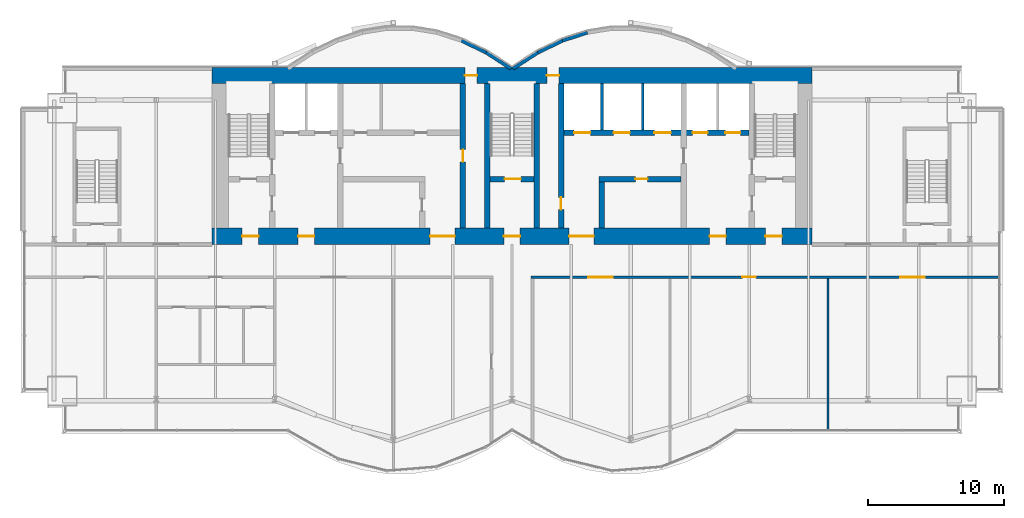
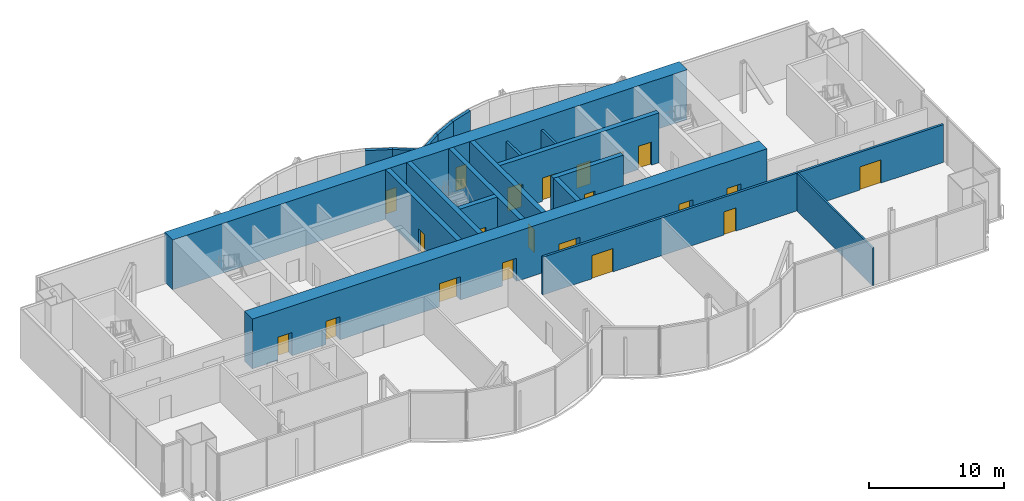
# One storey, part 13 of 18: 21 doors, 19 walls, 21 openings.
"""IFC4 building model written with IfcOpenShell, lengths in metres."""

from ifc_helpers import new_model, si_unit, direction, frame, frame_2d, origin, place, context, subcontext, project, spatial, rectangle, extrude, material, layer, layer_set, layer_usage, type_object, element, fill, save


model = new_model("IFC4")

# Units and contexts
model_context = context("Model", 3, precision=1e-05, world=origin(), true_north=direction((0.0, 1.0)))
body_context = subcontext(model_context, "Body", "Model", "MODEL_VIEW")
ifc_project = project(units=[si_unit("LENGTHUNIT", "METRE"), si_unit("AREAUNIT", "SQUARE_METRE"), si_unit("VOLUMEUNIT", "CUBIC_METRE"), si_unit("PLANEANGLEUNIT", "RADIAN"), si_unit("MASSUNIT", "GRAM", prefix="KILO")], contexts=[model_context])

# Site, building, storey
site_placement = place(None, origin())
site = spatial("IfcSite", under=ifc_project, at=site_placement, CompositionType="ELEMENT")
building_placement = place(site_placement, origin())
building = spatial("IfcBuilding", under=site, at=building_placement, Name="Bicima Exchange Tower", CompositionType="ELEMENT")
storey_placement = place(building_placement, frame((0.0, 0.0, 302.0)))
storey = spatial("IfcBuildingStorey", under=building, at=storey_placement, Name="L68", CompositionType="ELEMENT", Elevation=302.0)

# Walls
ifc_material_1 = material(Name="Gypsum board partition")
ifc_layer_1 = layer(ifc_material_1, 0.199951171875)
ifc_layer_set_1 = layer_set([ifc_layer_1], Name="Gypsum board partition")
wall_type_1 = type_object("IfcWallType", Name="Fire-rated gypsum partition 200 EI120", PredefinedType="PARTITIONING", material=ifc_layer_set_1)
for number, where, z_axis, x_axis, name in (
    (1, (6.60009765625, -4.60009765625, 0.0), (0.0, 0.0, 1.0), (0.0, 1.0, 0.0), "partition wall 18"),
    (2, (9.60009765625, -4.60009765625, 0.0), (0.0, 0.0, 1.0), (0.0, 1.0, 0.0), "partition wall 19"),
):
    element("IfcWall", number, at=place(storey_placement, frame(where, z_axis=z_axis, x_axis=x_axis)), inside=storey, type_object=wall_type_1, Name=name, PredefinedType="PARTITIONING", context=body_context, shape_type="SweptSolid", body=[
        extrude(rectangle(XDim=3.400146484375, YDim=0.199951171875, at=frame_2d((1.7001953125, 0.0))), origin(), (0.0, 0.0, 1.0), 3.418212890625),
    ])

# Wall, openings, doors
ifc_layer_2 = layer(ifc_material_1, 0.199951171875)
ifc_layer_set_2 = layer_set([ifc_layer_2], Name="Gypsum board partition")
wall_type_2 = type_object("IfcWallType", Name="Fire-rated gypsum partition 200 EI60", PredefinedType="PARTITIONING", material=ifc_layer_set_2)
wall_1_placement = place(storey_placement, frame((1.39990234375, -15.39990234375, 0.0), z_axis=(0.0, 0.0, 1.0), x_axis=(1.0, 0.0, 0.0)))
wall_1 = element("IfcWall", 3, at=wall_1_placement, inside=storey, type_object=wall_type_2, Name="partition wall 4", PredefinedType="PARTITIONING", context=body_context, shape_type="SweptSolid", body=[
    extrude(rectangle(XDim=34.280029296875, YDim=0.199951171875, at=frame_2d((17.14013671875, 0.0))), origin(), (0.0, 0.0, 1.0), 3.418212890625),
])
opening_1_placement = place(wall_1_placement, frame((4.199951171875, 0.0, 0.0)))
opening_1 = element("IfcOpeningElement", 4, at=opening_1_placement, cuts=wall_1, Name="Opening L68-014", PredefinedType="OPENING", context=body_context, shape_type="SweptSolid", body=[
    extrude(rectangle(XDim=1.800048828125, YDim=2.10009765625, at=frame_2d((0.89990234375, 1.050048828125))), frame((0.0, 0.11181640625, 0.0), z_axis=(0.0, -1.0, 0.0), x_axis=(1.0, 0.0, 0.0)), (0.0, 0.0, 1.0), 0.223876953125),
])
opening_2_placement = place(wall_1_placement, frame((15.5, 0.0, 0.0)))
opening_2 = element("IfcOpeningElement", 5, at=opening_2_placement, cuts=wall_1, Name="Opening L68-015", PredefinedType="OPENING", context=body_context, shape_type="SweptSolid", body=[
    extrude(rectangle(XDim=1.0, YDim=2.10009765625, at=frame_2d((0.5, 1.050048828125))), frame((0.0, 0.11181640625, 0.0), z_axis=(0.0, -1.0, 0.0), x_axis=(1.0, 0.0, 0.0)), (0.0, 0.0, 1.0), 0.223876953125),
])
opening_3_placement = place(wall_1_placement, frame((27.10009765625, 0.0, 0.0)))
opening_3 = element("IfcOpeningElement", 6, at=opening_3_placement, cuts=wall_1, Name="Opening L68-016", PredefinedType="OPENING", context=body_context, shape_type="SweptSolid", body=[
    extrude(rectangle(XDim=1.800048828125, YDim=2.10009765625, at=frame_2d((0.89990234375, 1.050048828125))), frame((0.0, 0.11181640625, 0.0), z_axis=(0.0, -1.0, 0.0), x_axis=(1.0, 0.0, 0.0)), (0.0, 0.0, 1.0), 0.223876953125),
])
ifc_material_2 = material(Name="Steel fire door leaf", Category="steel")
door_type_1 = type_object("IfcDoorType", Name="Door 1000 swing FD30S", OperationType="SINGLE_SWING_LEFT", PredefinedType="DOOR", material=ifc_material_2)
door_1_placement = place(opening_2_placement, frame((1.0, 0.0, 0.0), z_axis=(0.0, 0.0, 1.0), x_axis=(-1.0, 0.0, 0.0)))
door_1 = element("IfcDoor", 7, at=door_1_placement, inside=storey, type_object=door_type_1, Name="Door", OperationType="SINGLE_SWING_RIGHT", OverallHeight=2.10009765625, OverallWidth=1.0, PredefinedType="DOOR", context=body_context, shape_type="SweptSolid", body=[
    extrude(rectangle(XDim=1.0, YDim=2.10009765625, at=frame_2d((0.5, 1.050048828125))), frame((0.0, 0.02490234375, 0.0), z_axis=(0.0, -1.0, 0.0), x_axis=(1.0, 0.0, 0.0)), (0.0, 0.0, 1.0), 0.050048828125),
])
fill(opening_2, door_1)
door_type_2 = type_object("IfcDoorType", Name="Door 1800 double swing FD30S", OperationType="DOUBLE_DOOR_SINGLE_SWING", PredefinedType="DOOR", material=ifc_material_2)
door_2_placement = place(opening_1_placement, origin())
door_2 = element("IfcDoor", 8, at=door_2_placement, inside=storey, type_object=door_type_2, Name="Door", OperationType="SINGLE_SWING_LEFT", OverallHeight=2.10009765625, OverallWidth=1.800048828125, PredefinedType="DOOR", context=body_context, shape_type="SweptSolid", body=[
    extrude(rectangle(XDim=1.800048828125, YDim=2.10009765625, at=frame_2d((0.89990234375, 1.050048828125))), frame((0.0, 0.02490234375, 0.0), z_axis=(0.0, -1.0, 0.0), x_axis=(1.0, 0.0, 0.0)), (0.0, 0.0, 1.0), 0.050048828125),
])
fill(opening_1, door_2)
door_3_placement = place(opening_3_placement, origin())
door_3 = element("IfcDoor", 9, at=door_3_placement, inside=storey, type_object=door_type_2, Name="Door", OperationType="SINGLE_SWING_LEFT", OverallHeight=2.10009765625, OverallWidth=1.800048828125, PredefinedType="DOOR", context=body_context, shape_type="SweptSolid", body=[
    extrude(rectangle(XDim=1.800048828125, YDim=2.10009765625, at=frame_2d((0.89990234375, 1.050048828125))), frame((0.0, 0.02490234375, 0.0), z_axis=(0.0, -1.0, 0.0), x_axis=(1.0, 0.0, 0.0)), (0.0, 0.0, 1.0), 0.050048828125),
])
fill(opening_3, door_3)

# Wall
ifc_layer_3 = layer(ifc_material_1, 0.14990234375)
ifc_layer_set_3 = layer_set([ifc_layer_3], Name="Gypsum board partition")
wall_type_3 = type_object("IfcWallType", Name="Gypsum partition 150", PredefinedType="PARTITIONING", material=ifc_layer_set_3)
wall_2_placement = place(storey_placement, frame((23.199951171875, -26.659912109375, 0.0), z_axis=(0.0, 0.0, 1.0), x_axis=(0.0, 1.0, 0.0)))
element("IfcWall", 10, at=wall_2_placement, inside=storey, type_object=wall_type_3, Name="partition wall 23", PredefinedType="PARTITIONING", context=body_context, shape_type="SweptSolid", body=[
    extrude(rectangle(XDim=11.159912109375, YDim=0.14990234375, at=frame_2d((5.580078125, 0.0))), origin(), (0.0, 0.0, 1.0), 3.418212890625),
])

# Wall, openings, doors
ifc_material_3 = material(Name="Concrete C40/50", Category="concrete")
ifc_layer_4 = layer(ifc_material_3, 1.199951171875)
ifc_layer_set_4 = layer_set([ifc_layer_4], Name="Concrete C40/50")
wall_type_4 = type_object("IfcWallType", Name="RC core wall 1200 C40/50", PredefinedType="SHEAR", material=ifc_layer_set_4)
wall_3_placement = place(storey_placement, frame((-22.0, -0.60009765625, 0.0), z_axis=(0.0, 0.0, 1.0), x_axis=(1.0, 0.0, 0.0)))
wall_3 = element("IfcWall", 11, at=wall_3_placement, inside=storey, type_object=wall_type_4, Name="Core wall north", PredefinedType="SHEAR", context=body_context, shape_type="SweptSolid", body=[
    extrude(rectangle(XDim=44.0, YDim=1.199951171875, at=frame_2d((22.0, 0.0))), origin(), (0.0, 0.0, 1.0), 4.5),
])
opening_4_placement = place(wall_3_placement, frame((18.550048828125, 0.0, 0.0)))
opening_4 = element("IfcOpeningElement", 12, at=opening_4_placement, cuts=wall_3, Name="Opening L68-C16", PredefinedType="OPENING", context=body_context, shape_type="SweptSolid", body=[
    extrude(rectangle(XDim=0.89990234375, YDim=2.10009765625, at=frame_2d((0.449951171875, 1.050048828125))), frame((0.0, 0.61181640625, 0.0), z_axis=(0.0, -1.0, 0.0), x_axis=(1.0, 0.0, 0.0)), (0.0, 0.0, 1.0), 1.223876953125),
])
opening_5_placement = place(wall_3_placement, frame((24.550048828125, 0.0, 0.0)))
opening_5 = element("IfcOpeningElement", 13, at=opening_5_placement, cuts=wall_3, Name="Opening L68-C17", PredefinedType="OPENING", context=body_context, shape_type="SweptSolid", body=[
    extrude(rectangle(XDim=0.89990234375, YDim=2.10009765625, at=frame_2d((0.449951171875, 1.050048828125))), frame((0.0, 0.61181640625, 0.0), z_axis=(0.0, -1.0, 0.0), x_axis=(1.0, 0.0, 0.0)), (0.0, 0.0, 1.0), 1.223876953125),
])
door_type_3 = type_object("IfcDoorType", Name="Door 900 swing FD30S", OperationType="SINGLE_SWING_LEFT", PredefinedType="DOOR", material=ifc_material_2)
door_4_placement = place(opening_4_placement, origin())
door_4 = element("IfcDoor", 14, at=door_4_placement, inside=storey, type_object=door_type_3, Name="Core door", OperationType="SINGLE_SWING_LEFT", OverallHeight=2.10009765625, OverallWidth=0.89990234375, PredefinedType="DOOR", context=body_context, shape_type="SweptSolid", body=[
    extrude(rectangle(XDim=0.89990234375, YDim=2.10009765625, at=frame_2d((0.449951171875, 1.050048828125))), frame((0.0, 0.02490234375, 0.0), z_axis=(0.0, -1.0, 0.0), x_axis=(1.0, 0.0, 0.0)), (0.0, 0.0, 1.0), 0.050048828125),
])
fill(opening_4, door_4)
door_5_placement = place(opening_5_placement, origin())
door_5 = element("IfcDoor", 15, at=door_5_placement, inside=storey, type_object=door_type_3, Name="Core door", OperationType="SINGLE_SWING_LEFT", OverallHeight=2.10009765625, OverallWidth=0.89990234375, PredefinedType="DOOR", context=body_context, shape_type="SweptSolid", body=[
    extrude(rectangle(XDim=0.89990234375, YDim=2.10009765625, at=frame_2d((0.449951171875, 1.050048828125))), frame((0.0, 0.02490234375, 0.0), z_axis=(0.0, -1.0, 0.0), x_axis=(1.0, 0.0, 0.0)), (0.0, 0.0, 1.0), 0.050048828125),
])
fill(opening_5, door_5)

wall_4_placement = place(storey_placement, frame((-22.0, -12.39990234375, 0.0), z_axis=(0.0, 0.0, 1.0), x_axis=(1.0, 0.0, 0.0)))
wall_4 = element("IfcWall", 16, at=wall_4_placement, inside=storey, type_object=wall_type_4, Name="Core wall south", PredefinedType="SHEAR", context=body_context, shape_type="SweptSolid", body=[
    extrude(rectangle(XDim=44.0, YDim=1.199951171875, at=frame_2d((22.0, 0.0))), origin(), (0.0, 0.0, 1.0), 4.5),
])
opening_6_placement = place(wall_4_placement, frame((2.199951171875, 0.0, 0.0)))
opening_6 = element("IfcOpeningElement", 17, at=opening_6_placement, cuts=wall_4, Name="Opening L68-C18", PredefinedType="OPENING", context=body_context, shape_type="SweptSolid", body=[
    extrude(rectangle(XDim=1.199951171875, YDim=2.10009765625, at=frame_2d((0.60009765625, 1.050048828125))), frame((0.0, 0.61181640625, 0.0), z_axis=(0.0, -1.0, 0.0), x_axis=(1.0, 0.0, 0.0)), (0.0, 0.0, 1.0), 1.223876953125),
])
opening_7_placement = place(wall_4_placement, frame((21.39990234375, 0.0, 0.0)))
opening_7 = element("IfcOpeningElement", 18, at=opening_7_placement, cuts=wall_4, Name="Opening L68-C19", PredefinedType="OPENING", context=body_context, shape_type="SweptSolid", body=[
    extrude(rectangle(XDim=1.199951171875, YDim=2.10009765625, at=frame_2d((0.60009765625, 1.050048828125))), frame((0.0, 0.61181640625, 0.0), z_axis=(0.0, -1.0, 0.0), x_axis=(1.0, 0.0, 0.0)), (0.0, 0.0, 1.0), 1.223876953125),
])
opening_8_placement = place(wall_4_placement, frame((40.60009765625, 0.0, 0.0)))
opening_8 = element("IfcOpeningElement", 19, at=opening_8_placement, cuts=wall_4, Name="Opening L68-C20", PredefinedType="OPENING", context=body_context, shape_type="SweptSolid", body=[
    extrude(rectangle(XDim=1.199951171875, YDim=2.10009765625, at=frame_2d((0.60009765625, 1.050048828125))), frame((0.0, 0.61181640625, 0.0), z_axis=(0.0, -1.0, 0.0), x_axis=(1.0, 0.0, 0.0)), (0.0, 0.0, 1.0), 1.223876953125),
])
opening_9_placement = place(wall_4_placement, frame((16.0, 0.0, 0.0)))
opening_9 = element("IfcOpeningElement", 20, at=opening_9_placement, cuts=wall_4, Name="Opening L68-C21", PredefinedType="OPENING", context=body_context, shape_type="SweptSolid", body=[
    extrude(rectangle(XDim=1.800048828125, YDim=2.10009765625, at=frame_2d((0.89990234375, 1.050048828125))), frame((0.0, 0.61181640625, 0.0), z_axis=(0.0, -1.0, 0.0), x_axis=(1.0, 0.0, 0.0)), (0.0, 0.0, 1.0), 1.223876953125),
])
opening_10_placement = place(wall_4_placement, frame((6.300048828125, 0.0, 0.0)))
opening_10 = element("IfcOpeningElement", 21, at=opening_10_placement, cuts=wall_4, Name="Opening L68-C22", PredefinedType="OPENING", context=body_context, shape_type="SweptSolid", body=[
    extrude(rectangle(XDim=1.199951171875, YDim=2.10009765625, at=frame_2d((0.60009765625, 1.050048828125))), frame((0.0, 0.61181640625, 0.0), z_axis=(0.0, -1.0, 0.0), x_axis=(1.0, 0.0, 0.0)), (0.0, 0.0, 1.0), 1.223876953125),
])
opening_11_placement = place(wall_4_placement, frame((26.199951171875, 0.0, 0.0)))
opening_11 = element("IfcOpeningElement", 22, at=opening_11_placement, cuts=wall_4, Name="Opening L68-C23", PredefinedType="OPENING", context=body_context, shape_type="SweptSolid", body=[
    extrude(rectangle(XDim=1.800048828125, YDim=2.10009765625, at=frame_2d((0.89990234375, 1.050048828125))), frame((0.0, 0.61181640625, 0.0), z_axis=(0.0, -1.0, 0.0), x_axis=(1.0, 0.0, 0.0)), (0.0, 0.0, 1.0), 1.223876953125),
])
opening_12_placement = place(wall_4_placement, frame((36.5, 0.0, 0.0)))
opening_12 = element("IfcOpeningElement", 23, at=opening_12_placement, cuts=wall_4, Name="Opening L68-C24", PredefinedType="OPENING", context=body_context, shape_type="SweptSolid", body=[
    extrude(rectangle(XDim=1.199951171875, YDim=2.10009765625, at=frame_2d((0.60009765625, 1.050048828125))), frame((0.0, 0.61181640625, 0.0), z_axis=(0.0, -1.0, 0.0), x_axis=(1.0, 0.0, 0.0)), (0.0, 0.0, 1.0), 1.223876953125),
])
door_type_4 = type_object("IfcDoorType", Name="Door 1200 swing FD60S", OperationType="SINGLE_SWING_LEFT", PredefinedType="DOOR", material=ifc_material_2)
door_6_placement = place(opening_6_placement, frame((1.199951171875, 0.0, 0.0), z_axis=(0.0, 0.0, 1.0), x_axis=(-1.0, 0.0, 0.0)))
door_6 = element("IfcDoor", 24, at=door_6_placement, inside=storey, type_object=door_type_4, Name="Core door", OperationType="SINGLE_SWING_RIGHT", OverallHeight=2.10009765625, OverallWidth=1.199951171875, PredefinedType="DOOR", context=body_context, shape_type="SweptSolid", body=[
    extrude(rectangle(XDim=1.199951171875, YDim=2.10009765625, at=frame_2d((0.60009765625, 1.050048828125))), frame((0.0, 0.02490234375, 0.0), z_axis=(0.0, -1.0, 0.0), x_axis=(1.0, 0.0, 0.0)), (0.0, 0.0, 1.0), 0.050048828125),
])
fill(opening_6, door_6)
door_7_placement = place(opening_7_placement, frame((1.199951171875, 0.0, 0.0), z_axis=(0.0, 0.0, 1.0), x_axis=(-1.0, 0.0, 0.0)))
door_7 = element("IfcDoor", 25, at=door_7_placement, inside=storey, type_object=door_type_4, Name="Core door", OperationType="SINGLE_SWING_RIGHT", OverallHeight=2.10009765625, OverallWidth=1.199951171875, PredefinedType="DOOR", context=body_context, shape_type="SweptSolid", body=[
    extrude(rectangle(XDim=1.199951171875, YDim=2.10009765625, at=frame_2d((0.60009765625, 1.050048828125))), frame((0.0, 0.02490234375, 0.0), z_axis=(0.0, -1.0, 0.0), x_axis=(1.0, 0.0, 0.0)), (0.0, 0.0, 1.0), 0.050048828125),
])
fill(opening_7, door_7)
door_8_placement = place(opening_8_placement, frame((1.199951171875, 0.0, 0.0), z_axis=(0.0, 0.0, 1.0), x_axis=(-1.0, 0.0, 0.0)))
door_8 = element("IfcDoor", 26, at=door_8_placement, inside=storey, type_object=door_type_4, Name="Core door", OperationType="SINGLE_SWING_RIGHT", OverallHeight=2.10009765625, OverallWidth=1.199951171875, PredefinedType="DOOR", context=body_context, shape_type="SweptSolid", body=[
    extrude(rectangle(XDim=1.199951171875, YDim=2.10009765625, at=frame_2d((0.60009765625, 1.050048828125))), frame((0.0, 0.02490234375, 0.0), z_axis=(0.0, -1.0, 0.0), x_axis=(1.0, 0.0, 0.0)), (0.0, 0.0, 1.0), 0.050048828125),
])
fill(opening_8, door_8)
door_9_placement = place(opening_10_placement, frame((1.199951171875, 0.0, 0.0), z_axis=(0.0, 0.0, 1.0), x_axis=(-1.0, 0.0, 0.0)))
door_9 = element("IfcDoor", 27, at=door_9_placement, inside=storey, type_object=door_type_4, Name="Core door", OperationType="SINGLE_SWING_RIGHT", OverallHeight=2.10009765625, OverallWidth=1.199951171875, PredefinedType="DOOR", context=body_context, shape_type="SweptSolid", body=[
    extrude(rectangle(XDim=1.199951171875, YDim=2.10009765625, at=frame_2d((0.60009765625, 1.050048828125))), frame((0.0, 0.02490234375, 0.0), z_axis=(0.0, -1.0, 0.0), x_axis=(1.0, 0.0, 0.0)), (0.0, 0.0, 1.0), 0.050048828125),
])
fill(opening_10, door_9)
door_10_placement = place(opening_12_placement, frame((1.199951171875, 0.0, 0.0), z_axis=(0.0, 0.0, 1.0), x_axis=(-1.0, 0.0, 0.0)))
door_10 = element("IfcDoor", 28, at=door_10_placement, inside=storey, type_object=door_type_4, Name="Core door", OperationType="SINGLE_SWING_RIGHT", OverallHeight=2.10009765625, OverallWidth=1.199951171875, PredefinedType="DOOR", context=body_context, shape_type="SweptSolid", body=[
    extrude(rectangle(XDim=1.199951171875, YDim=2.10009765625, at=frame_2d((0.60009765625, 1.050048828125))), frame((0.0, 0.02490234375, 0.0), z_axis=(0.0, -1.0, 0.0), x_axis=(1.0, 0.0, 0.0)), (0.0, 0.0, 1.0), 0.050048828125),
])
fill(opening_12, door_10)
door_11_placement = place(opening_9_placement, origin())
door_11 = element("IfcDoor", 29, at=door_11_placement, inside=storey, type_object=door_type_2, Name="Core door", OperationType="SINGLE_SWING_LEFT", OverallHeight=2.10009765625, OverallWidth=1.800048828125, PredefinedType="DOOR", context=body_context, shape_type="SweptSolid", body=[
    extrude(rectangle(XDim=1.800048828125, YDim=2.10009765625, at=frame_2d((0.89990234375, 1.050048828125))), frame((0.0, 0.02490234375, 0.0), z_axis=(0.0, -1.0, 0.0), x_axis=(1.0, 0.0, 0.0)), (0.0, 0.0, 1.0), 0.050048828125),
])
fill(opening_9, door_11)
door_12_placement = place(opening_11_placement, origin())
door_12 = element("IfcDoor", 30, at=door_12_placement, inside=storey, type_object=door_type_2, Name="Core door", OperationType="SINGLE_SWING_LEFT", OverallHeight=2.10009765625, OverallWidth=1.800048828125, PredefinedType="DOOR", context=body_context, shape_type="SweptSolid", body=[
    extrude(rectangle(XDim=1.800048828125, YDim=2.10009765625, at=frame_2d((0.89990234375, 1.050048828125))), frame((0.0, 0.02490234375, 0.0), z_axis=(0.0, -1.0, 0.0), x_axis=(1.0, 0.0, 0.0)), (0.0, 0.0, 1.0), 0.050048828125),
])
fill(opening_11, door_12)

# Wall, opening, door
ifc_layer_5 = layer(ifc_material_3, 0.39990234375)
ifc_layer_set_5 = layer_set([ifc_layer_5], Name="Concrete C40/50")
wall_type_5 = type_object("IfcWallType", Name="RC core wall 400 C40/50", PredefinedType="SHEAR", material=ifc_layer_set_5)
wall_5_placement = place(storey_placement, frame((6.39990234375, -8.199951171875, 0.0), z_axis=(0.0, 0.0, 1.0), x_axis=(1.0, 0.0, 0.0)))
wall_5 = element("IfcWall", 31, at=wall_5_placement, inside=storey, type_object=wall_type_5, Name="shear wall 4", PredefinedType="SHEAR", context=body_context, shape_type="SweptSolid", body=[
    extrude(rectangle(XDim=6.0, YDim=0.39990234375, at=frame_2d((3.0, 0.0))), origin(), (0.0, 0.0, 1.0), 4.5),
])
opening_13_placement = place(wall_5_placement, frame((2.64990234375, 0.0, 0.0)))
opening_13 = element("IfcOpeningElement", 32, at=opening_13_placement, cuts=wall_5, Name="Opening L68-C15", PredefinedType="OPENING", context=body_context, shape_type="SweptSolid", body=[
    extrude(rectangle(XDim=0.89990234375, YDim=2.10009765625, at=frame_2d((0.449951171875, 1.050048828125))), frame((0.0, 0.2119140625, 0.0), z_axis=(0.0, -1.0, 0.0), x_axis=(1.0, 0.0, 0.0)), (0.0, 0.0, 1.0), 0.423828125),
])
door_13_placement = place(opening_13_placement, frame((0.89990234375, 0.0, 0.0), z_axis=(0.0, 0.0, 1.0), x_axis=(-1.0, 0.0, 0.0)))
door_13 = element("IfcDoor", 33, at=door_13_placement, inside=storey, type_object=door_type_3, Name="Core door", OperationType="SINGLE_SWING_RIGHT", OverallHeight=2.10009765625, OverallWidth=0.89990234375, PredefinedType="DOOR", context=body_context, shape_type="SweptSolid", body=[
    extrude(rectangle(XDim=0.89990234375, YDim=2.10009765625, at=frame_2d((0.449951171875, 1.050048828125))), frame((0.0, 0.02490234375, 0.0), z_axis=(0.0, -1.0, 0.0), x_axis=(1.0, 0.0, 0.0)), (0.0, 0.0, 1.0), 0.050048828125),
])
fill(opening_13, door_13)

# Wall, openings, doors
wall_6_placement = place(storey_placement, frame((3.800048828125, -4.800048828125, 0.0), z_axis=(0.0, 0.0, 1.0), x_axis=(1.0, 0.0, 0.0)))
wall_6 = element("IfcWall", 34, at=wall_6_placement, inside=storey, type_object=wall_type_5, Name="shear wall 7", PredefinedType="SHEAR", context=body_context, shape_type="SweptSolid", body=[
    extrude(rectangle(XDim=13.599853515625, YDim=0.39990234375, at=frame_2d((6.7998046875, 0.0))), origin(), (0.0, 0.0, 1.0), 4.5),
])
opening_14_placement = place(wall_6_placement, frame((0.75, 0.0, 0.0)))
opening_14 = element("IfcOpeningElement", 35, at=opening_14_placement, cuts=wall_6, Name="Opening LD-HB1-L68", PredefinedType="OPENING", context=body_context, shape_type="SweptSolid", body=[
    extrude(rectangle(XDim=1.199951171875, YDim=2.10009765625, at=frame_2d((0.60009765625, 1.050048828125))), frame((0.0, 0.2119140625, 0.0), z_axis=(0.0, -1.0, 0.0), x_axis=(1.0, 0.0, 0.0)), (0.0, 0.0, 1.0), 0.423828125),
])
opening_15_placement = place(wall_6_placement, frame((3.64990234375, 0.0, 0.0)))
opening_15 = element("IfcOpeningElement", 36, at=opening_15_placement, cuts=wall_6, Name="Opening LD-HB2-L68", PredefinedType="OPENING", context=body_context, shape_type="SweptSolid", body=[
    extrude(rectangle(XDim=1.199951171875, YDim=2.10009765625, at=frame_2d((0.60009765625, 1.050048828125))), frame((0.0, 0.2119140625, 0.0), z_axis=(0.0, -1.0, 0.0), x_axis=(1.0, 0.0, 0.0)), (0.0, 0.0, 1.0), 0.423828125),
])
opening_16_placement = place(wall_6_placement, frame((6.64990234375, 0.0, 0.0)))
opening_16 = element("IfcOpeningElement", 37, at=opening_16_placement, cuts=wall_6, Name="Opening LD-HB3-L68", PredefinedType="OPENING", context=body_context, shape_type="SweptSolid", body=[
    extrude(rectangle(XDim=1.199951171875, YDim=2.10009765625, at=frame_2d((0.60009765625, 1.050048828125))), frame((0.0, 0.2119140625, 0.0), z_axis=(0.0, -1.0, 0.0), x_axis=(1.0, 0.0, 0.0)), (0.0, 0.0, 1.0), 0.423828125),
])
opening_17_placement = place(wall_6_placement, frame((9.449951171875, 0.0, 0.0)))
opening_17 = element("IfcOpeningElement", 38, at=opening_17_placement, cuts=wall_6, Name="Opening LD-FF2-L68", PredefinedType="OPENING", context=body_context, shape_type="SweptSolid", body=[
    extrude(rectangle(XDim=1.10009765625, YDim=2.10009765625, at=frame_2d((0.550048828125, 1.050048828125))), frame((0.0, 0.2119140625, 0.0), z_axis=(0.0, -1.0, 0.0), x_axis=(1.0, 0.0, 0.0)), (0.0, 0.0, 1.0), 0.423828125),
])
opening_18_placement = place(wall_6_placement, frame((11.85009765625, 0.0, 0.0)))
opening_18 = element("IfcOpeningElement", 39, at=opening_18_placement, cuts=wall_6, Name="Opening LD-SV1-L68", PredefinedType="OPENING", context=body_context, shape_type="SweptSolid", body=[
    extrude(rectangle(XDim=1.10009765625, YDim=2.10009765625, at=frame_2d((0.550048828125, 1.050048828125))), frame((0.0, 0.2119140625, 0.0), z_axis=(0.0, -1.0, 0.0), x_axis=(1.0, 0.0, 0.0)), (0.0, 0.0, 1.0), 0.423828125),
])
ifc_material_4 = material(Name="Stainless steel", Category="steel")
door_type_5 = type_object("IfcDoorType", Name="Lift landing door 1100 sliding", OperationType="DOUBLE_DOOR_SLIDING", PredefinedType="DOOR", material=ifc_material_4)
door_14_placement = place(opening_17_placement, origin())
door_14 = element("IfcDoor", 40, at=door_14_placement, inside=storey, type_object=door_type_5, Name="Lift landing door FF2", OperationType="DOUBLE_DOOR_SLIDING", OverallHeight=2.10009765625, OverallWidth=1.10009765625, PredefinedType="DOOR", context=body_context, shape_type="SweptSolid", body=[
    extrude(rectangle(XDim=1.10009765625, YDim=2.10009765625, at=frame_2d((0.550048828125, 1.050048828125))), frame((0.0, 0.02490234375, 0.0), z_axis=(0.0, -1.0, 0.0), x_axis=(1.0, 0.0, 0.0)), (0.0, 0.0, 1.0), 0.050048828125),
])
fill(opening_17, door_14)
door_15_placement = place(opening_18_placement, origin())
door_15 = element("IfcDoor", 41, at=door_15_placement, inside=storey, type_object=door_type_5, Name="Lift landing door SV1", OperationType="DOUBLE_DOOR_SLIDING", OverallHeight=2.10009765625, OverallWidth=1.10009765625, PredefinedType="DOOR", context=body_context, shape_type="SweptSolid", body=[
    extrude(rectangle(XDim=1.10009765625, YDim=2.10009765625, at=frame_2d((0.550048828125, 1.050048828125))), frame((0.0, 0.02490234375, 0.0), z_axis=(0.0, -1.0, 0.0), x_axis=(1.0, 0.0, 0.0)), (0.0, 0.0, 1.0), 0.050048828125),
])
fill(opening_18, door_15)
door_type_6 = type_object("IfcDoorType", Name="Lift landing door 1200 sliding", OperationType="DOUBLE_DOOR_SLIDING", PredefinedType="DOOR", material=ifc_material_4)
door_16_placement = place(opening_14_placement, origin())
door_16 = element("IfcDoor", 42, at=door_16_placement, inside=storey, type_object=door_type_6, Name="Lift landing door HB1", OperationType="DOUBLE_DOOR_SLIDING", OverallHeight=2.10009765625, OverallWidth=1.199951171875, PredefinedType="DOOR", context=body_context, shape_type="SweptSolid", body=[
    extrude(rectangle(XDim=1.199951171875, YDim=2.10009765625, at=frame_2d((0.60009765625, 1.050048828125))), frame((0.0, 0.02490234375, 0.0), z_axis=(0.0, -1.0, 0.0), x_axis=(1.0, 0.0, 0.0)), (0.0, 0.0, 1.0), 0.050048828125),
])
fill(opening_14, door_16)
door_17_placement = place(opening_15_placement, origin())
door_17 = element("IfcDoor", 43, at=door_17_placement, inside=storey, type_object=door_type_6, Name="Lift landing door HB2", OperationType="DOUBLE_DOOR_SLIDING", OverallHeight=2.10009765625, OverallWidth=1.199951171875, PredefinedType="DOOR", context=body_context, shape_type="SweptSolid", body=[
    extrude(rectangle(XDim=1.199951171875, YDim=2.10009765625, at=frame_2d((0.60009765625, 1.050048828125))), frame((0.0, 0.02490234375, 0.0), z_axis=(0.0, -1.0, 0.0), x_axis=(1.0, 0.0, 0.0)), (0.0, 0.0, 1.0), 0.050048828125),
])
fill(opening_15, door_17)
door_18_placement = place(opening_16_placement, origin())
door_18 = element("IfcDoor", 44, at=door_18_placement, inside=storey, type_object=door_type_6, Name="Lift landing door HB3", OperationType="DOUBLE_DOOR_SLIDING", OverallHeight=2.10009765625, OverallWidth=1.199951171875, PredefinedType="DOOR", context=body_context, shape_type="SweptSolid", body=[
    extrude(rectangle(XDim=1.199951171875, YDim=2.10009765625, at=frame_2d((0.60009765625, 1.050048828125))), frame((0.0, 0.02490234375, 0.0), z_axis=(0.0, -1.0, 0.0), x_axis=(1.0, 0.0, 0.0)), (0.0, 0.0, 1.0), 0.050048828125),
])
fill(opening_16, door_18)

# Wall, opening, door
wall_7_placement = place(storey_placement, frame((-3.60009765625, -11.800048828125, 0.0), z_axis=(0.0, 0.0, 1.0), x_axis=(0.0, 1.0, 0.0)))
wall_7 = element("IfcWall", 45, at=wall_7_placement, inside=storey, type_object=wall_type_5, Name="shear wall 13", PredefinedType="SHEAR", context=body_context, shape_type="SweptSolid", body=[
    extrude(rectangle(XDim=10.60009765625, YDim=0.39990234375, at=frame_2d((5.300048828125, 0.0))), origin(), (0.0, 0.0, 1.0), 4.5),
])
opening_19_placement = place(wall_7_placement, frame((4.85009765625, 0.0, 0.0)))
opening_19 = element("IfcOpeningElement", 46, at=opening_19_placement, cuts=wall_7, Name="Opening L68-C10", PredefinedType="OPENING", context=body_context, shape_type="SweptSolid", body=[
    extrude(rectangle(XDim=0.89990234375, YDim=2.10009765625, at=frame_2d((0.449951171875, 1.050048828125))), frame((0.0, 0.2119140625, 0.0), z_axis=(0.0, -1.0, 0.0), x_axis=(1.0, 0.0, 0.0)), (0.0, 0.0, 1.0), 0.423828125),
])
door_19_placement = place(opening_19_placement, frame((0.89990234375, 0.0, 0.0), z_axis=(0.0, 0.0, 1.0), x_axis=(-1.0, 0.0, 0.0)))
door_19 = element("IfcDoor", 47, at=door_19_placement, inside=storey, type_object=door_type_3, Name="Core door", OperationType="SINGLE_SWING_LEFT", OverallHeight=2.10009765625, OverallWidth=0.89990234375, PredefinedType="DOOR", context=body_context, shape_type="SweptSolid", body=[
    extrude(rectangle(XDim=0.89990234375, YDim=2.10009765625, at=frame_2d((0.449951171875, 1.050048828125))), frame((0.0, 0.02490234375, 0.0), z_axis=(0.0, -1.0, 0.0), x_axis=(1.0, 0.0, 0.0)), (0.0, 0.0, 1.0), 0.050048828125),
])
fill(opening_19, door_19)

wall_8_placement = place(storey_placement, frame((3.60009765625, -11.800048828125, 0.0), z_axis=(0.0, 0.0, 1.0), x_axis=(0.0, 1.0, 0.0)))
wall_8 = element("IfcWall", 48, at=wall_8_placement, inside=storey, type_object=wall_type_5, Name="shear wall 16", PredefinedType="SHEAR", context=body_context, shape_type="SweptSolid", body=[
    extrude(rectangle(XDim=10.60009765625, YDim=0.39990234375, at=frame_2d((5.300048828125, 0.0))), origin(), (0.0, 0.0, 1.0), 4.5),
])
opening_20_placement = place(wall_8_placement, frame((1.35009765625, 0.0, 0.0)))
opening_20 = element("IfcOpeningElement", 49, at=opening_20_placement, cuts=wall_8, Name="Opening L68-C11", PredefinedType="OPENING", context=body_context, shape_type="SweptSolid", body=[
    extrude(rectangle(XDim=0.89990234375, YDim=2.10009765625, at=frame_2d((0.449951171875, 1.050048828125))), frame((0.0, 0.2119140625, 0.0), z_axis=(0.0, -1.0, 0.0), x_axis=(1.0, 0.0, 0.0)), (0.0, 0.0, 1.0), 0.423828125),
])
door_20_placement = place(opening_20_placement, origin())
door_20 = element("IfcDoor", 50, at=door_20_placement, inside=storey, type_object=door_type_3, Name="Core door", OperationType="SINGLE_SWING_LEFT", OverallHeight=2.10009765625, OverallWidth=0.89990234375, PredefinedType="DOOR", context=body_context, shape_type="SweptSolid", body=[
    extrude(rectangle(XDim=0.89990234375, YDim=2.10009765625, at=frame_2d((0.449951171875, 1.050048828125))), frame((0.0, 0.02490234375, 0.0), z_axis=(0.0, -1.0, 0.0), x_axis=(1.0, 0.0, 0.0)), (0.0, 0.0, 1.0), 0.050048828125),
])
fill(opening_20, door_20)

# Wall
wall_9_placement = place(storey_placement, frame((6.60009765625, -11.800048828125, 0.0), z_axis=(0.0, 0.0, 1.0), x_axis=(0.0, 1.0, 0.0)))
element("IfcWall", 51, at=wall_9_placement, inside=storey, type_object=wall_type_5, Name="shear wall 17", PredefinedType="SHEAR", context=body_context, shape_type="SweptSolid", body=[
    extrude(rectangle(XDim=3.400146484375, YDim=0.39990234375, at=frame_2d((1.7001953125, 0.0))), origin(), (0.0, 0.0, 1.0), 4.5),
])

# Wall, opening, door
ifc_material_5 = material(Name="Concrete C50/60", Category="concrete")
ifc_layer_6 = layer(ifc_material_5, 0.39990234375)
ifc_layer_set_6 = layer_set([ifc_layer_6], Name="Concrete C50/60")
wall_type_6 = type_object("IfcWallType", Name="RC core wall 400 C50/60", PredefinedType="SHEAR", material=ifc_layer_set_6)
wall_10_placement = place(storey_placement, frame((-1.60009765625, -8.199951171875, 0.0), z_axis=(0.0, 0.0, 1.0), x_axis=(1.0, 0.0, 0.0)))
wall_10 = element("IfcWall", 52, at=wall_10_placement, inside=storey, type_object=wall_type_6, Name="stair wall 3", PredefinedType="SHEAR", context=body_context, shape_type="SweptSolid", body=[
    extrude(rectangle(XDim=3.2001953125, YDim=0.39990234375, at=frame_2d((1.60009765625, 0.0))), origin(), (0.0, 0.0, 1.0), 4.5),
])
opening_21_placement = place(wall_10_placement, frame((1.050048828125, 0.0, 0.0)))
opening_21 = element("IfcOpeningElement", 53, at=opening_21_placement, cuts=wall_10, Name="Opening L68-C03", PredefinedType="OPENING", context=body_context, shape_type="SweptSolid", body=[
    extrude(rectangle(XDim=1.199951171875, YDim=2.10009765625, at=frame_2d((0.60009765625, 1.050048828125))), frame((0.0, 0.2119140625, 0.0), z_axis=(0.0, -1.0, 0.0), x_axis=(1.0, 0.0, 0.0)), (0.0, 0.0, 1.0), 0.423828125),
])
door_21_placement = place(opening_21_placement, origin())
door_21 = element("IfcDoor", 54, at=door_21_placement, inside=storey, type_object=door_type_4, Name="Core door", OperationType="SINGLE_SWING_LEFT", OverallHeight=2.10009765625, OverallWidth=1.199951171875, PredefinedType="DOOR", context=body_context, shape_type="SweptSolid", body=[
    extrude(rectangle(XDim=1.199951171875, YDim=2.10009765625, at=frame_2d((0.60009765625, 1.050048828125))), frame((0.0, 0.02490234375, 0.0), z_axis=(0.0, -1.0, 0.0), x_axis=(1.0, 0.0, 0.0)), (0.0, 0.0, 1.0), 0.050048828125),
])
fill(opening_21, door_21)

# Walls
for number, where, z_axis, x_axis, name in (
    (55, (-1.800048828125, -11.800048828125, 0.0), (0.0, 0.0, 1.0), (0.0, 1.0, 0.0), "stair wall 14"),
    (56, (1.800048828125, -11.800048828125, 0.0), (0.0, 0.0, 1.0), (0.0, 1.0, 0.0), "stair wall 15"),
):
    element("IfcWall", number, at=place(storey_placement, frame(where, z_axis=z_axis, x_axis=x_axis)), inside=storey, type_object=wall_type_6, Name=name, PredefinedType="SHEAR", context=body_context, shape_type="SweptSolid", body=[
        extrude(rectangle(XDim=10.60009765625, YDim=0.39990234375, at=frame_2d((5.300048828125, 0.0))), origin(), (0.0, 0.0, 1.0), 4.5),
    ])
ifc_layer_7 = layer(ifc_material_3, 0.25)
ifc_layer_set_7 = layer_set([ifc_layer_7], Name="Concrete C40/50")
ifc_layer_usage = layer_usage(ifc_layer_set_7, "AXIS2", "POSITIVE", -0.125)
wall_type_7 = type_object("IfcWallType", Name="Rear backup wall 250", PredefinedType="STANDARD", material=ifc_layer_set_7)
wall_11_placement = place(storey_placement, frame((5.538330078125, 2.5478515625, 0.0), z_axis=(0.0, 0.0, 1.0), x_axis=(-0.951495806175, -0.307661714928, 0.0)))
element("IfcWall", 57, at=wall_11_placement, inside=storey, type_object=wall_type_7, material=ifc_layer_usage, Name="Rear backup wall L68 8", PredefinedType="STANDARD", context=body_context, shape_type="SweptSolid", body=[
    extrude(rectangle(XDim=1.9267578125, YDim=0.25, at=frame_2d((0.96337890625, 0.0))), origin(), (0.0, 0.0, 1.0), 4.35009765625),
])
wall_12_placement = place(storey_placement, frame((3.72119140625, 1.961669921875, 0.0), z_axis=(0.0, 0.0, 1.0), x_axis=(-0.89982408427, -0.436252928206, 0.0)))
element("IfcWall", 58, at=wall_12_placement, inside=storey, type_object=wall_type_7, material=ifc_layer_usage, Name="Rear backup wall L68 9", PredefinedType="STANDARD", context=body_context, shape_type="SweptSolid", body=[
    extrude(rectangle(XDim=2.03759765625, YDim=0.25, at=frame_2d((1.018798828125, 0.0))), origin(), (0.0, 0.0, 1.0), 4.35009765625),
])
for number, where, z_axis, x_axis, name in (
    (59, (1.901123046875, 1.080078125, 0.0), (0.0, 0.0, 1.0), (-0.83981312244, -0.542875602121, 0.0), "Rear backup wall L68 10"),
    (60, (-0.06787109375, -0.10498046875, 0.0), (0.0, 0.0, 1.0), (-0.83981312244, 0.542875602121, 0.0), "Rear backup wall L68 11"),
):
    element("IfcWall", number, at=place(storey_placement, frame(where, z_axis=z_axis, x_axis=x_axis)), inside=storey, type_object=wall_type_7, material=ifc_layer_usage, Name=name, PredefinedType="STANDARD", context=body_context, shape_type="SweptSolid", body=[
        extrude(rectangle(XDim=2.182861328125, YDim=0.25, at=frame_2d((1.09130859375, 0.0))), origin(), (0.0, 0.0, 1.0), 4.35009765625),
    ])
wall_13_placement = place(storey_placement, frame((-1.8876953125, 1.07275390625, 0.0), z_axis=(0.0, 0.0, 1.0), x_axis=(-0.89982408427, 0.436252928206, 0.0)))
element("IfcWall", 61, at=wall_13_placement, inside=storey, type_object=wall_type_7, material=ifc_layer_usage, Name="Rear backup wall L68 12", PredefinedType="STANDARD", context=body_context, shape_type="SweptSolid", body=[
    extrude(rectangle(XDim=2.03759765625, YDim=0.25, at=frame_2d((1.018798828125, 0.0))), origin(), (0.0, 0.0, 1.0), 4.35009765625),
])

save(model, "model.ifc")
